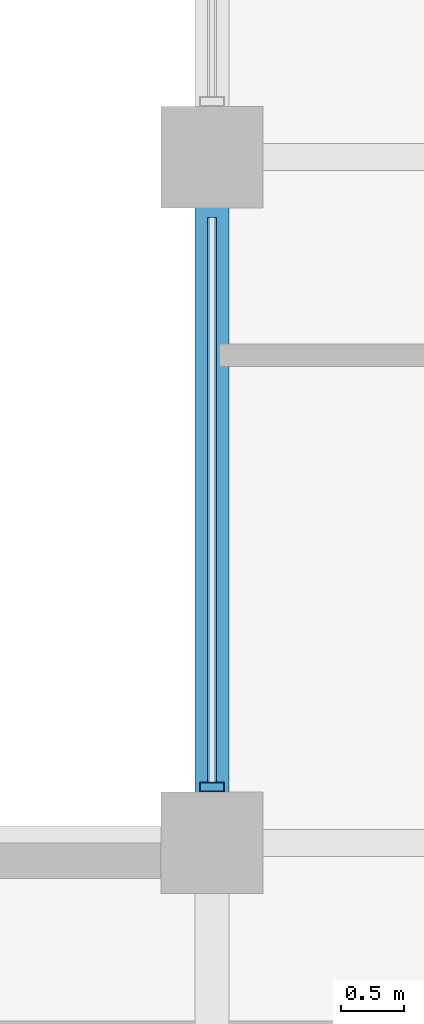
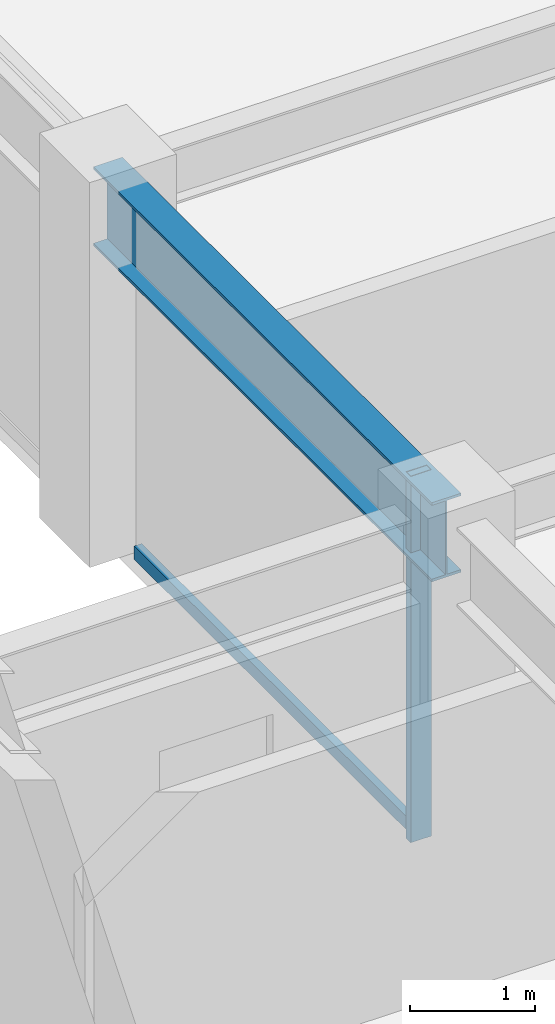
# One storey, part 7 of 28: 2 members, 1 beam, 1 element without a shape of its own.
"""IFC4 building model written with IfcOpenShell, lengths in metres."""

import ifcopenshell
import ifcopenshell.guid

model = None  # the IFC model being written
_history = None  # IfcOwnerHistory: only IFC2X3 demands one
_inside = {}  # id of a spatial element -> (the spatial element, [elements in it])
_under = {}  # id of a project, library or spatial element -> (it, [spatial elements below it])
_declared = {}  # id of a project -> (the project, [libraries it declares])
_typed = {}  # id of a type object -> (the type object, [elements of that type])
_made_of = {}  # id of a material, layer set ... -> (it, [elements and type objects made of it])


def new_model(schema):
    """Start an empty IFC model of exactly this schema.

    Asked for "IFC4X3", IfcOpenShell would pick the latest addendum, in which some entities
    have other attributes; the version numbers below select the first issue.
    IFC2X3 requires an IfcOwnerHistory on every rooted entity: one is made here for all.
    """
    global model, _history
    if schema == "IFC4X3":
        model = ifcopenshell.file(schema_version=(4, 3, 0, 0))
    else:
        model = ifcopenshell.file(schema=schema)
    _inside.clear()
    _under.clear()
    _declared.clear()
    _typed.clear()
    _made_of.clear()
    _history = None
    if model.schema == "IFC2X3":
        org = make("IfcOrganization", Name="unknown")
        user = make(
            "IfcPersonAndOrganization",
            ThePerson=make("IfcPerson", FamilyName="unknown"),
            TheOrganization=org,
        )
        app = make(
            "IfcApplication",
            ApplicationDeveloper=org,
            Version="unknown",
            ApplicationFullName="unknown",
            ApplicationIdentifier="unknown",
        )
        _history = make(
            "IfcOwnerHistory",
            OwningUser=user,
            OwningApplication=app,
            ChangeAction="ADDED",
            CreationDate=0,
        )
    return model


def make(cls, **values):
    """One entity of the class cls with the attributes given. An attribute that is None is left unset."""
    return model.create_entity(
        cls, **{name: value for name, value in values.items() if value is not None}
    )


def rooted(cls, **values):
    """An entity with a GlobalId (a new one), such as an element, a storey or a relation."""
    return make(cls, GlobalId=ifcopenshell.guid.new(), OwnerHistory=_history, **values)


def si_unit(unit_type, name, prefix=None):
    """IfcSIUnit, for example si_unit("LENGTHUNIT", "METRE", prefix="MILLI")."""
    return make("IfcSIUnit", UnitType=unit_type, Prefix=prefix, Name=name)


def assignment(units):
    """IfcUnitAssignment: the units of a project."""
    return None if units is None else make("IfcUnitAssignment", Units=units)


def point(xyz):
    """IfcCartesianPoint."""
    return None if xyz is None else make("IfcCartesianPoint", Coordinates=xyz)


def direction(xyz):
    """IfcDirection."""
    return None if xyz is None else make("IfcDirection", DirectionRatios=xyz)


def frame(location, z_axis=None, x_axis=None):
    """IfcAxis2Placement3D, a coordinate frame: its origin and axes. An axis left out is left unset."""
    return make(
        "IfcAxis2Placement3D",
        Location=point(location),
        Axis=direction(z_axis),
        RefDirection=direction(x_axis),
    )


def frame_2d(location, x_axis=None):
    """IfcAxis2Placement2D, a coordinate frame in the plane: its origin and x axis."""
    return make(
        "IfcAxis2Placement2D", Location=point(location), RefDirection=direction(x_axis)
    )


def origin():
    """The frame at (0, 0, 0) with its axes left unset."""
    return frame((0.0, 0.0, 0.0))


def origin_2d():
    """The frame at (0, 0) in the plane with its x axis left unset."""
    return frame_2d((0.0, 0.0))


def place(relative_to, where):
    """IfcLocalPlacement: puts the frame where relative to a parent placement (None: the world)."""
    return make(
        "IfcLocalPlacement", PlacementRelTo=relative_to, RelativePlacement=where
    )


def context(
    kind, dimensions, precision=None, world=None, true_north=None, identifier=None
):
    """IfcGeometricRepresentationContext, for example the 3D "Model" context."""
    return make(
        "IfcGeometricRepresentationContext",
        ContextIdentifier=identifier,
        ContextType=kind,
        CoordinateSpaceDimension=dimensions,
        Precision=precision,
        WorldCoordinateSystem=world,
        TrueNorth=true_north,
    )


def subcontext(parent, identifier, kind, view, scale=None):
    """IfcGeometricRepresentationSubContext, for example "Body" below "Model"."""
    return make(
        "IfcGeometricRepresentationSubContext",
        ContextIdentifier=identifier,
        ContextType=kind,
        ParentContext=parent,
        TargetScale=scale,
        TargetView=view,
    )


def project(units=None, contexts=None):
    """IfcProject with its units and contexts."""
    return rooted(
        "IfcProject",
        Name="project",
        RepresentationContexts=contexts,
        UnitsInContext=assignment(units),
    )


def spatial(cls, under=None, at=None, **own):
    """A site, building, storey or space (cls), placed at a placement, below another one or the project."""
    s = rooted(cls, ObjectPlacement=at, **own)
    if under is not None:
        _under.setdefault(under.id(), (under, []))[1].append(s)
    return s


def profile(cls, at=None, kind="AREA", **sizes):
    """A parametric profile (cls). Its sizes go by their IFC names, for example OverallWidth=200.0."""
    return make(cls, ProfileType=kind, Position=at, **sizes)


def hollow_rectangle(**sizes):
    """IfcRectangleHollowProfileDef."""
    return profile("IfcRectangleHollowProfileDef", **sizes)


def i_section(**sizes):
    """IfcIShapeProfileDef."""
    return profile("IfcIShapeProfileDef", **sizes)


def extrude(swept, where, along, depth):
    """IfcExtrudedAreaSolid: the profile swept, set in the frame where, extruded along a direction by depth."""
    return make(
        "IfcExtrudedAreaSolid",
        SweptArea=swept,
        Position=where,
        ExtrudedDirection=direction(along),
        Depth=depth,
    )


def shape(context_of_items, identifier, shape_type, items):
    """IfcShapeRepresentation: the items that make up one representation, for example the "Body"."""
    return make(
        "IfcShapeRepresentation",
        ContextOfItems=context_of_items,
        RepresentationIdentifier=identifier,
        RepresentationType=shape_type,
        Items=items,
    )


def material(Name=None, Category=None):
    """IfcMaterial."""
    return make("IfcMaterial", Name=Name, Category=Category)


def layer(
    of_material, thickness, ventilated=None, Name=None, Category=None, Priority=None
):
    """IfcMaterialLayer: one layer of a wall or slab, of a material (None: an air gap)."""
    return make(
        "IfcMaterialLayer",
        Material=of_material,
        LayerThickness=thickness,
        IsVentilated=ventilated,
        Name=Name,
        Category=Category,
        Priority=Priority,
    )


def layer_set(layers, Name=None):
    """IfcMaterialLayerSet."""
    return make("IfcMaterialLayerSet", MaterialLayers=layers, LayerSetName=Name)


def material_profile(
    of_material, cross_section, Name=None, Category=None, Priority=None
):
    """IfcMaterialProfile: a cross section and its material."""
    return make(
        "IfcMaterialProfile",
        Name=Name,
        Material=of_material,
        Profile=cross_section,
        Priority=Priority,
        Category=Category,
    )


def profile_set(profiles, Name=None, composite=None):
    """IfcMaterialProfileSet."""
    return make(
        "IfcMaterialProfileSet",
        Name=Name,
        MaterialProfiles=profiles,
        CompositeProfile=composite,
    )


def made_of(thing, what):
    """Note that an element or type object is made of a material, layer set ...; save() writes the relation."""
    if what is not None:
        _made_of.setdefault(what.id(), (what, []))[1].append(thing)
    return thing


def type_object(cls, material=None, **own):
    """A type object (cls), such as IfcWallType, which elements share."""
    return made_of(rooted(cls, **own), material)


def element(
    cls,
    number,
    at=None,
    inside=None,
    cuts=None,
    type_object=None,
    material=None,
    context=None,
    identifier="Body",
    shape_type=None,
    held_by="IfcProductDefinitionShape",
    body=None,
    shapes=None,
    **own,
):
    """One element of the class cls, such as IfcWall. Its Tag is "e" and its number.

    at: its placement. inside: the storey or other place that contains it. cuts: it is an
    opening in that element (IfcRelVoidsElement). A single representation is given by context,
    identifier, shape_type and body (its items); several are given by shapes. held_by: the class
    of the entity that holds the representations. save() writes the other relations.
    """
    e = rooted(cls, Tag="e%d" % number, ObjectPlacement=at, **own)
    if body is not None:
        shapes = [shape(context, identifier, shape_type, body)]
    if shapes is not None:
        e.Representation = make(held_by, Representations=shapes)
    if inside is not None:
        _inside.setdefault(inside.id(), (inside, []))[1].append(e)
    if cuts is not None:
        rooted(
            "IfcRelVoidsElement", RelatingBuildingElement=cuts, RelatedOpeningElement=e
        )
    if type_object is not None:
        _typed.setdefault(type_object.id(), (type_object, []))[1].append(e)
    return made_of(e, material)


def aggregate(whole, parts):
    """IfcRelAggregates: a whole, such as a stair, and the parts it consists of."""
    return rooted("IfcRelAggregates", RelatingObject=whole, RelatedObjects=parts)


def save(model, path):
    """Write the relations noted so far, then the file.

    IfcRelAggregates (storeys below a building ...), IfcRelContainedInSpatialStructure (elements
    in a storey), IfcRelDefinesByType, IfcRelAssociatesMaterial and IfcRelDeclares: one each for
    every whole, place, type object, material and project.
    """
    for whole, parts in _under.values():
        aggregate(whole, parts)
    for where, things in _inside.values():
        rooted(
            "IfcRelContainedInSpatialStructure",
            RelatedElements=things,
            RelatingStructure=where,
        )
    for kind, things in _typed.values():
        rooted("IfcRelDefinesByType", RelatedObjects=things, RelatingType=kind)
    for what, things in _made_of.values():
        rooted("IfcRelAssociatesMaterial", RelatedObjects=things, RelatingMaterial=what)
    for by, libraries in _declared.values():
        rooted("IfcRelDeclares", RelatingContext=by, RelatedDefinitions=libraries)
    model.write(path)


model = new_model("IFC4")

# Units and contexts
model_context = context("Model", 3, precision=1e-05, world=origin(), true_north=direction((0.0, 1.0)))
body_context = subcontext(model_context, "Body", "Model", "MODEL_VIEW")
ifc_project = project(units=[si_unit("LENGTHUNIT", "METRE"), si_unit("AREAUNIT", "SQUARE_METRE"), si_unit("VOLUMEUNIT", "CUBIC_METRE"), si_unit("PLANEANGLEUNIT", "RADIAN"), si_unit("MASSUNIT", "GRAM", prefix="KILO")], contexts=[model_context])

# Site, building, storey
site_placement = place(None, origin())
site = spatial("IfcSite", under=ifc_project, at=site_placement, CompositionType="ELEMENT")
building_placement = place(site_placement, origin())
building = spatial("IfcBuilding", under=site, at=building_placement, Name="Surkhivell Harbour Commons", CompositionType="ELEMENT")
storey_placement = place(building_placement, frame((0.0, 0.0, 238.5)))
storey = spatial("IfcBuildingStorey", under=building, at=storey_placement, Name="L62", CompositionType="ELEMENT", Elevation=238.5)

# Beam
ifc_material_1 = material(Name="Steel S355", Category="steel")
ifc_material_profile_1 = material_profile(ifc_material_1, i_section(OverallWidth=0.26806640625, OverallDepth=0.77001953125, WebThickness=0.015625, FlangeThickness=0.025390625, at=origin_2d()), Name="UB762x267x197")
ifc_profile_set_1 = profile_set([ifc_material_profile_1], Name="Steel S355")
beam_type = type_object("IfcBeamType", Name="BM-SPN-762", PredefinedType="SPANDREL", material=ifc_profile_set_1)
beam_placement = place(storey_placement, frame((-27.0, 5.39990234375, 3.18505859375), z_axis=(0.0, 1.0, 0.0), x_axis=(-1.0, 0.0, 0.0)))
element("IfcBeam", 1, at=beam_placement, inside=storey, type_object=beam_type, Name="L62 Tube Spandrel (-27.0,5.4)", PredefinedType="SPANDREL", context=body_context, shape_type="SweptSolid", body=[
    extrude(i_section(OverallWidth=0.26806640625, OverallDepth=0.77001953125, WebThickness=0.015625, FlangeThickness=0.025390625, at=origin_2d()), origin(), (0.0, 0.0, 1.0), 5.400146484375),
])

# Curtain wall, members
ifc_material_2 = material(Name="Anodised pale-metal aluminium and insulated glazing", Category="aluminium")
ifc_layer = layer(ifc_material_2, 0.18994140625)
ifc_layer_set = layer_set([ifc_layer], Name="Anodised pale-metal aluminium and insulated glazing")
curtain_wall_type = type_object("IfcCurtainWallType", Name="CW-SYS-Z3", PredefinedType="NOTDEFINED", material=ifc_layer_set)
curtain_wall_placement = place(storey_placement, origin())
curtain_wall = element("IfcCurtainWall", 2, at=curtain_wall_placement, inside=storey, type_object=curtain_wall_type, Name="L62 Curtain Wall CW-L62-E12R2", PredefinedType="NOTDEFINED")
ifc_material_3 = material(Name="Anodised pale-metal aluminium alloy 6063-T6", Category="aluminium")
ifc_material_profile_2 = material_profile(ifc_material_3, hollow_rectangle(XDim=0.074951171875, YDim=0.18994140625, WallThickness=0.00390625, at=origin_2d()), Name="ALU-MULL-75x190")
ifc_profile_set_2 = profile_set([ifc_material_profile_2], Name="Anodised pale-metal aluminium alloy 6063-T6")
member_type_1 = type_object("IfcMemberType", Name="CWM-190", PredefinedType="MULLION", material=ifc_profile_set_2)
member_1_placement = place(storey_placement, frame((-27.0, 5.839599609375, 0.0), z_axis=(0.0, 0.0, 1.0), x_axis=(0.0, 1.0, 0.0)))
member_1 = element("IfcMember", 3, at=member_1_placement, type_object=member_type_1, Name="CW-Z3 mullion 1", PredefinedType="MULLION", context=body_context, shape_type="SweptSolid", body=[
    extrude(hollow_rectangle(XDim=0.074951171875, YDim=0.18994140625, WallThickness=0.00390625, at=origin_2d()), origin(), (0.0, 0.0, 1.0), 3.570068359375),
])
ifc_material_4 = material(Name="Champagne anodised aluminium alloy 6063-T6", Category="aluminium")
ifc_material_profile_3 = material_profile(ifc_material_4, hollow_rectangle(XDim=0.070068359375, YDim=0.1298828125, WallThickness=0.00341796875, at=origin_2d()), Name="ALU-TRAN-70x130")
ifc_profile_set_3 = profile_set([ifc_material_profile_3], Name="Champagne anodised aluminium alloy 6063-T6")
member_type_2 = type_object("IfcMemberType", Name="CWT-130", PredefinedType="USERDEFINED", material=ifc_profile_set_3)
member_2_placement = place(storey_placement, frame((-27.0, 5.876953125, 0.06494140625), z_axis=(0.0, 1.0, 0.0), x_axis=(-1.0, 0.0, 0.0)))
member_2 = element("IfcMember", 4, at=member_2_placement, type_object=member_type_2, Name="CW-Z3 transom 1.1", ObjectType="TRANSOM", PredefinedType="USERDEFINED", context=body_context, shape_type="SweptSolid", body=[
    extrude(hollow_rectangle(XDim=0.070068359375, YDim=0.1298828125, WallThickness=0.00341796875, at=origin_2d()), origin(), (0.0, 0.0, 1.0), 4.446044921875),
])
aggregate(curtain_wall, [member_1, member_2])

save(model, "model.ifc")
